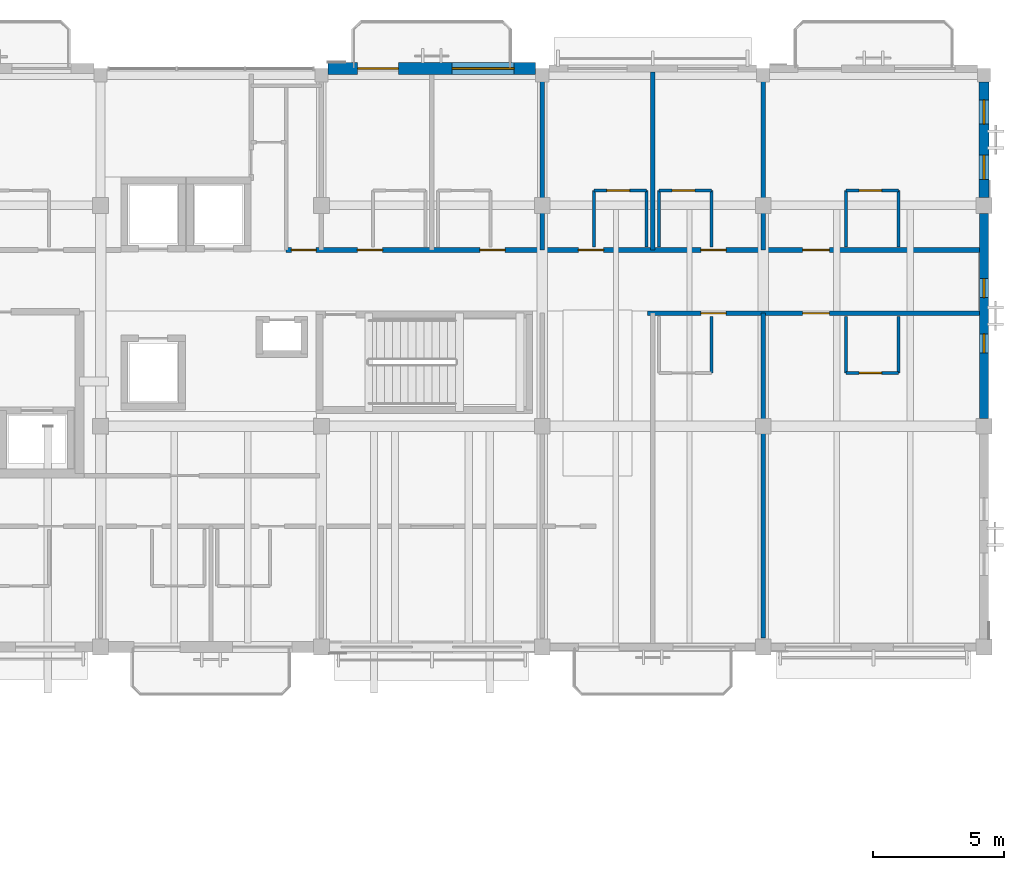
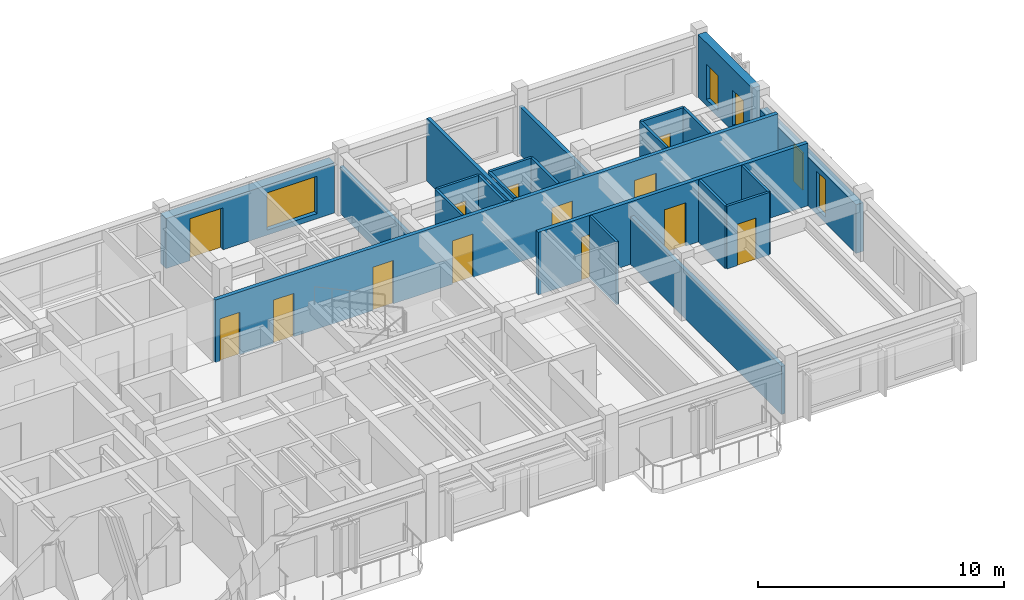
# One storey, part 17 of 31: 22 walls, 13 doors, 5 windows, 18 openings.
"""IFC4 building model written with IfcOpenShell, lengths in metres."""

from ifc_helpers import new_model, si_unit, direction, frame, frame_2d, origin, place, context, subcontext, project, spatial, rectangle, extrude, material, layer, layer_set, type_object, element, fill, save


model = new_model("IFC4")

# Units and contexts
model_context = context("Model", 3, precision=1e-05, world=origin(), true_north=direction((0.0, 1.0)))
body_context = subcontext(model_context, "Body", "Model", "MODEL_VIEW")
ifc_project = project(units=[si_unit("LENGTHUNIT", "METRE"), si_unit("AREAUNIT", "SQUARE_METRE"), si_unit("VOLUMEUNIT", "CUBIC_METRE"), si_unit("PLANEANGLEUNIT", "RADIAN"), si_unit("MASSUNIT", "GRAM", prefix="KILO")], contexts=[model_context])

# Site, building, storey
site_placement = place(None, origin())
site = spatial("IfcSite", under=ifc_project, at=site_placement, CompositionType="ELEMENT")
building_placement = place(site_placement, origin())
building = spatial("IfcBuilding", under=site, at=building_placement, Name="Cumbredor Promenade Congress Hotel", CompositionType="ELEMENT")
storey_placement = place(building_placement, frame((0.0, 0.0, 31.919921875)))
storey = spatial("IfcBuildingStorey", under=building, at=storey_placement, Name="L09", CompositionType="ELEMENT", Elevation=31.919921875)

# Wall, opening, door
ifc_material_1 = material(Name="Moisture-resistant gypsum board on steel studs", Category="steel")
ifc_layer_1 = layer(ifc_material_1, 0.114990234375, Name="Moisture-resistant gypsum board on steel studs", Category="steel")
ifc_layer_set_1 = layer_set([ifc_layer_1], Name="Moisture-resistant gypsum board on steel studs")
wall_type_1 = type_object("IfcWallType", Name="WL-BATH-115", PredefinedType="PARTITIONING", material=ifc_layer_set_1)
wall_1_placement = place(storey_placement, frame((52.360107421875, 109.77001953125, 0.0), z_axis=(0.0, 0.0, 1.0), x_axis=(1.0, 0.0, 0.0)))
wall_1 = element("IfcWall", 1, at=wall_1_placement, inside=storey, type_object=wall_type_1, Name="L09 Interior Partition W-L09-BH-0909", PredefinedType="PARTITIONING", context=body_context, shape_type="SweptSolid", body=[
    extrude(rectangle(XDim=2.0, YDim=0.114990234375, at=frame_2d((1.0, 0.0))), origin(), (0.0, 0.0, 1.0), 3.10009765625),
])
opening_1_placement = place(wall_1_placement, frame((0.5, 0.0, 0.0)))
opening_1 = element("IfcOpeningElement", 2, at=opening_1_placement, cuts=wall_1, Name="Opening ID-01", PredefinedType="OPENING", context=body_context, shape_type="SweptSolid", body=[
    extrude(rectangle(XDim=0.860107421875, YDim=2.050048828125, at=frame_2d((0.43017578125, 1.02490234375))), frame((0.0, 0.0673828125, 0.0), z_axis=(0.0, -1.0, 0.0), x_axis=(1.0, 0.0, 0.0)), (0.0, 0.0, 1.0), 0.135009765625),
])
ifc_material_2 = material(Name="Kiln-dried tropical hardwood", Category="wood")
door_type_1 = type_object("IfcDoorType", Name="DR-BATH-860", OperationType="NOTDEFINED", PredefinedType="DOOR", material=ifc_material_2)
door_1_placement = place(opening_1_placement, origin())
door_1 = element("IfcDoor", 3, at=door_1_placement, inside=storey, type_object=door_type_1, Name="L09 Interior Door W-L09-BH-0909-01", OperationType="SINGLE_SWING_LEFT", OverallHeight=2.050048828125, OverallWidth=0.860107421875, PredefinedType="DOOR", context=body_context, shape_type="SweptSolid", body=[
    extrude(rectangle(XDim=0.860107421875, YDim=2.050048828125, at=frame_2d((0.43017578125, 1.02490234375))), frame((0.0, 0.02490234375, 0.0), z_axis=(0.0, -1.0, 0.0), x_axis=(1.0, 0.0, 0.0)), (0.0, 0.0, 1.0), 0.050048828125),
])
fill(opening_1, door_1)

# Walls
for number, where, z_axis, x_axis, name in (
    (4, (52.360107421875, 107.6201171875, 0.0), (0.0, 0.0, 1.0), (0.0, 1.0, 0.0), "L09 Interior Partition W-L09-BV1-0909"),
    (5, (54.360107421875, 107.6201171875, 0.0), (0.0, 0.0, 1.0), (0.0, 1.0, 0.0), "L09 Interior Partition W-L09-BV2-0909"),
):
    element("IfcWall", number, at=place(storey_placement, frame(where, z_axis=z_axis, x_axis=x_axis)), inside=storey, type_object=wall_type_1, Name=name, PredefinedType="PARTITIONING", context=body_context, shape_type="SweptSolid", body=[
        extrude(rectangle(XDim=2.14990234375, YDim=0.114990234375, at=frame_2d((1.074951171875, 0.0))), origin(), (0.0, 0.0, 1.0), 3.10009765625),
    ])

# Wall, opening, door
wall_2_placement = place(storey_placement, frame((54.840087890625, 109.77001953125, 0.0), z_axis=(0.0, 0.0, 1.0), x_axis=(1.0, 0.0, 0.0)))
wall_2 = element("IfcWall", 6, at=wall_2_placement, inside=storey, type_object=wall_type_1, Name="L09 Interior Partition W-L09-BH-0910", PredefinedType="PARTITIONING", context=body_context, shape_type="SweptSolid", body=[
    extrude(rectangle(XDim=2.0, YDim=0.114990234375, at=frame_2d((1.0, 0.0))), origin(), (0.0, 0.0, 1.0), 3.10009765625),
])
opening_2_placement = place(wall_2_placement, frame((0.5, 0.0, 0.0)))
opening_2 = element("IfcOpeningElement", 7, at=opening_2_placement, cuts=wall_2, Name="Opening ID-01", PredefinedType="OPENING", context=body_context, shape_type="SweptSolid", body=[
    extrude(rectangle(XDim=0.860107421875, YDim=2.050048828125, at=frame_2d((0.43017578125, 1.02490234375))), frame((0.0, 0.0673828125, 0.0), z_axis=(0.0, -1.0, 0.0), x_axis=(1.0, 0.0, 0.0)), (0.0, 0.0, 1.0), 0.135009765625),
])
door_2_placement = place(opening_2_placement, origin())
door_2 = element("IfcDoor", 8, at=door_2_placement, inside=storey, type_object=door_type_1, Name="L09 Interior Door W-L09-BH-0910-01", OperationType="SINGLE_SWING_RIGHT", OverallHeight=2.050048828125, OverallWidth=0.860107421875, PredefinedType="DOOR", context=body_context, shape_type="SweptSolid", body=[
    extrude(rectangle(XDim=0.860107421875, YDim=2.050048828125, at=frame_2d((0.43017578125, 1.02490234375))), frame((0.0, 0.02490234375, 0.0), z_axis=(0.0, -1.0, 0.0), x_axis=(1.0, 0.0, 0.0)), (0.0, 0.0, 1.0), 0.050048828125),
])
fill(opening_2, door_2)

# Walls
for number, where, z_axis, x_axis, name in (
    (9, (54.840087890625, 107.6201171875, 0.0), (0.0, 0.0, 1.0), (0.0, 1.0, 0.0), "L09 Interior Partition W-L09-BV1-0910"),
    (10, (56.840087890625, 107.6201171875, 0.0), (0.0, 0.0, 1.0), (0.0, 1.0, 0.0), "L09 Interior Partition W-L09-BV2-0910"),
):
    element("IfcWall", number, at=place(storey_placement, frame(where, z_axis=z_axis, x_axis=x_axis)), inside=storey, type_object=wall_type_1, Name=name, PredefinedType="PARTITIONING", context=body_context, shape_type="SweptSolid", body=[
        extrude(rectangle(XDim=2.14990234375, YDim=0.114990234375, at=frame_2d((1.074951171875, 0.0))), origin(), (0.0, 0.0, 1.0), 3.10009765625),
    ])

# Wall, opening, door
wall_3_placement = place(storey_placement, frame((61.949951171875, 109.77001953125, 0.0), z_axis=(0.0, 0.0, 1.0), x_axis=(1.0, 0.0, 0.0)))
wall_3 = element("IfcWall", 11, at=wall_3_placement, inside=storey, type_object=wall_type_1, Name="L09 Interior Partition W-L09-BH-0911", PredefinedType="PARTITIONING", context=body_context, shape_type="SweptSolid", body=[
    extrude(rectangle(XDim=2.0, YDim=0.114990234375, at=frame_2d((1.0, 0.0))), origin(), (0.0, 0.0, 1.0), 3.10009765625),
])
opening_3_placement = place(wall_3_placement, frame((0.5, 0.0, 0.0)))
opening_3 = element("IfcOpeningElement", 12, at=opening_3_placement, cuts=wall_3, Name="Opening ID-01", PredefinedType="OPENING", context=body_context, shape_type="SweptSolid", body=[
    extrude(rectangle(XDim=0.860107421875, YDim=2.050048828125, at=frame_2d((0.43017578125, 1.02490234375))), frame((0.0, 0.0673828125, 0.0), z_axis=(0.0, -1.0, 0.0), x_axis=(1.0, 0.0, 0.0)), (0.0, 0.0, 1.0), 0.135009765625),
])
door_3_placement = place(opening_3_placement, origin())
door_3 = element("IfcDoor", 13, at=door_3_placement, inside=storey, type_object=door_type_1, Name="L09 Interior Door W-L09-BH-0911-01", OperationType="SINGLE_SWING_LEFT", OverallHeight=2.050048828125, OverallWidth=0.860107421875, PredefinedType="DOOR", context=body_context, shape_type="SweptSolid", body=[
    extrude(rectangle(XDim=0.860107421875, YDim=2.050048828125, at=frame_2d((0.43017578125, 1.02490234375))), frame((0.0, 0.02490234375, 0.0), z_axis=(0.0, -1.0, 0.0), x_axis=(1.0, 0.0, 0.0)), (0.0, 0.0, 1.0), 0.050048828125),
])
fill(opening_3, door_3)

# Walls
for number, where, z_axis, x_axis, name in (
    (14, (61.949951171875, 107.6201171875, 0.0), (0.0, 0.0, 1.0), (0.0, 1.0, 0.0), "L09 Interior Partition W-L09-BV1-0911"),
    (15, (63.949951171875, 107.6201171875, 0.0), (0.0, 0.0, 1.0), (0.0, 1.0, 0.0), "L09 Interior Partition W-L09-BV2-0911"),
    (16, (56.840087890625, 102.830078125, 0.0), (0.0, 0.0, 1.0), (0.0, 1.0, 0.0), "L09 Interior Partition W-L09-BV2-0912"),
):
    element("IfcWall", number, at=place(storey_placement, frame(where, z_axis=z_axis, x_axis=x_axis)), inside=storey, type_object=wall_type_1, Name=name, PredefinedType="PARTITIONING", context=body_context, shape_type="SweptSolid", body=[
        extrude(rectangle(XDim=2.14990234375, YDim=0.114990234375, at=frame_2d((1.074951171875, 0.0))), origin(), (0.0, 0.0, 1.0), 3.10009765625),
    ])

# Wall, opening, door
wall_4_placement = place(storey_placement, frame((61.949951171875, 102.830078125, 0.0), z_axis=(0.0, 0.0, 1.0), x_axis=(1.0, 0.0, 0.0)))
wall_4 = element("IfcWall", 17, at=wall_4_placement, inside=storey, type_object=wall_type_1, Name="L09 Interior Partition W-L09-BH-0913", PredefinedType="PARTITIONING", context=body_context, shape_type="SweptSolid", body=[
    extrude(rectangle(XDim=2.0, YDim=0.114990234375, at=frame_2d((1.0, 0.0))), origin(), (0.0, 0.0, 1.0), 3.10009765625),
])
opening_4_placement = place(wall_4_placement, frame((0.5, 0.0, 0.0)))
opening_4 = element("IfcOpeningElement", 18, at=opening_4_placement, cuts=wall_4, Name="Opening ID-01", PredefinedType="OPENING", context=body_context, shape_type="SweptSolid", body=[
    extrude(rectangle(XDim=0.860107421875, YDim=2.050048828125, at=frame_2d((0.43017578125, 1.02490234375))), frame((0.0, 0.0673828125, 0.0), z_axis=(0.0, -1.0, 0.0), x_axis=(1.0, 0.0, 0.0)), (0.0, 0.0, 1.0), 0.135009765625),
])
door_4_placement = place(opening_4_placement, origin())
door_4 = element("IfcDoor", 19, at=door_4_placement, inside=storey, type_object=door_type_1, Name="L09 Interior Door W-L09-BH-0913-01", OperationType="SINGLE_SWING_LEFT", OverallHeight=2.050048828125, OverallWidth=0.860107421875, PredefinedType="DOOR", context=body_context, shape_type="SweptSolid", body=[
    extrude(rectangle(XDim=0.860107421875, YDim=2.050048828125, at=frame_2d((0.43017578125, 1.02490234375))), frame((0.0, 0.02490234375, 0.0), z_axis=(0.0, -1.0, 0.0), x_axis=(1.0, 0.0, 0.0)), (0.0, 0.0, 1.0), 0.050048828125),
])
fill(opening_4, door_4)

# Walls
for number, where, z_axis, x_axis, name in (
    (20, (61.949951171875, 102.830078125, 0.0), (0.0, 0.0, 1.0), (0.0, 1.0, 0.0), "L09 Interior Partition W-L09-BV1-0913"),
    (21, (63.949951171875, 102.830078125, 0.0), (0.0, 0.0, 1.0), (0.0, 1.0, 0.0), "L09 Interior Partition W-L09-BV2-0913"),
):
    element("IfcWall", number, at=place(storey_placement, frame(where, z_axis=z_axis, x_axis=x_axis)), inside=storey, type_object=wall_type_1, Name=name, PredefinedType="PARTITIONING", context=body_context, shape_type="SweptSolid", body=[
        extrude(rectangle(XDim=2.14990234375, YDim=0.114990234375, at=frame_2d((1.074951171875, 0.0))), origin(), (0.0, 0.0, 1.0), 3.10009765625),
    ])

# Wall, openings, doors
ifc_material_3 = material(Name="Fire-rated hotel corridor wall")
ifc_layer_2 = layer(ifc_material_3, 0.179931640625, Name="Fire-rated hotel corridor wall")
ifc_layer_set_2 = layer_set([ifc_layer_2], Name="Fire-rated hotel corridor wall")
wall_type_2 = type_object("IfcWallType", Name="WL-CORR-180", PredefinedType="PARTITIONING", material=ifc_layer_set_2)
wall_5_placement = place(storey_placement, frame((40.659912109375, 107.5, 0.0), z_axis=(0.0, 0.0, 1.0), x_axis=(1.0, 0.0, 0.0)))
wall_5 = element("IfcWall", 22, at=wall_5_placement, inside=storey, type_object=wall_type_2, Name="L09 Interior Partition W-L09-CORR-NE", PredefinedType="PARTITIONING", context=body_context, shape_type="SweptSolid", body=[
    extrude(rectangle(XDim=26.364990234375, YDim=0.179931640625, at=frame_2d((13.1826171875, 0.0))), origin(), (0.0, 0.0, 1.0), 3.10009765625),
])
opening_5_placement = place(wall_5_placement, frame((0.199951171875, 0.0, 0.0)))
opening_5 = element("IfcOpeningElement", 23, at=opening_5_placement, cuts=wall_5, Name="Opening FD-03", PredefinedType="OPENING", context=body_context, shape_type="SweptSolid", body=[
    extrude(rectangle(XDim=0.93994140625, YDim=2.10009765625, at=frame_2d((0.469970703125, 1.050048828125))), frame((0.0, 0.10009765625, 0.0), z_axis=(0.0, -1.0, 0.0), x_axis=(1.0, 0.0, 0.0)), (0.0, 0.0, 1.0), 0.199951171875),
])
opening_6_placement = place(wall_5_placement, frame((2.7099609375, 0.0, 0.0)))
opening_6 = element("IfcOpeningElement", 24, at=opening_6_placement, cuts=wall_5, Name="Opening FD-01", PredefinedType="OPENING", context=body_context, shape_type="SweptSolid", body=[
    extrude(rectangle(XDim=0.9599609375, YDim=2.14990234375, at=frame_2d((0.47998046875, 1.074951171875))), frame((0.0, 0.10009765625, 0.0), z_axis=(0.0, -1.0, 0.0), x_axis=(1.0, 0.0, 0.0)), (0.0, 0.0, 1.0), 0.199951171875),
])
opening_7_placement = place(wall_5_placement, frame((7.3701171875, 0.0, 0.0)))
opening_7 = element("IfcOpeningElement", 25, at=opening_7_placement, cuts=wall_5, Name="Opening FD-01", PredefinedType="OPENING", context=body_context, shape_type="SweptSolid", body=[
    extrude(rectangle(XDim=0.9599609375, YDim=2.14990234375, at=frame_2d((0.47998046875, 1.074951171875))), frame((0.0, 0.10009765625, 0.0), z_axis=(0.0, -1.0, 0.0), x_axis=(1.0, 0.0, 0.0)), (0.0, 0.0, 1.0), 0.199951171875),
])
opening_8_placement = place(wall_5_placement, frame((11.110107421875, 0.0, 0.0)))
opening_8 = element("IfcOpeningElement", 26, at=opening_8_placement, cuts=wall_5, Name="Opening FD-01", PredefinedType="OPENING", context=body_context, shape_type="SweptSolid", body=[
    extrude(rectangle(XDim=0.9599609375, YDim=2.14990234375, at=frame_2d((0.47998046875, 1.074951171875))), frame((0.0, 0.10009765625, 0.0), z_axis=(0.0, -1.0, 0.0), x_axis=(1.0, 0.0, 0.0)), (0.0, 0.0, 1.0), 0.199951171875),
])
opening_9_placement = place(wall_5_placement, frame((15.77001953125, 0.0, 0.0)))
opening_9 = element("IfcOpeningElement", 27, at=opening_9_placement, cuts=wall_5, Name="Opening FD-01", PredefinedType="OPENING", context=body_context, shape_type="SweptSolid", body=[
    extrude(rectangle(XDim=0.9599609375, YDim=2.14990234375, at=frame_2d((0.47998046875, 1.074951171875))), frame((0.0, 0.10009765625, 0.0), z_axis=(0.0, -1.0, 0.0), x_axis=(1.0, 0.0, 0.0)), (0.0, 0.0, 1.0), 0.199951171875),
])
opening_10_placement = place(wall_5_placement, frame((19.639892578125, 0.0, 0.0)))
opening_10 = element("IfcOpeningElement", 28, at=opening_10_placement, cuts=wall_5, Name="Opening FD-02", PredefinedType="OPENING", context=body_context, shape_type="SweptSolid", body=[
    extrude(rectangle(XDim=1.02001953125, YDim=2.14990234375, at=frame_2d((0.510009765625, 1.074951171875))), frame((0.0, 0.10009765625, 0.0), z_axis=(0.0, -1.0, 0.0), x_axis=(1.0, 0.0, 0.0)), (0.0, 0.0, 1.0), 0.199951171875),
])
ifc_material_4 = material(Name="Solid-core fire-rated tropical hardwood", Category="wood")
door_type_2 = type_object("IfcDoorType", Name="DR-GUEST-FD30-1000", OperationType="NOTDEFINED", PredefinedType="DOOR", material=ifc_material_4)
door_5_placement = place(opening_10_placement, origin())
door_5 = element("IfcDoor", 29, at=door_5_placement, inside=storey, type_object=door_type_2, Name="L09 Interior Door W-L09-CORR-NE-06", OperationType="SINGLE_SWING_RIGHT", OverallHeight=2.14990234375, OverallWidth=1.02001953125, PredefinedType="DOOR", context=body_context, shape_type="SweptSolid", body=[
    extrude(rectangle(XDim=1.02001953125, YDim=2.14990234375, at=frame_2d((0.510009765625, 1.074951171875))), frame((0.0, 0.02490234375, 0.0), z_axis=(0.0, -1.0, 0.0), x_axis=(1.0, 0.0, 0.0)), (0.0, 0.0, 1.0), 0.050048828125),
])
fill(opening_10, door_5)
door_type_3 = type_object("IfcDoorType", Name="DR-GUEST-FD30-950", OperationType="NOTDEFINED", PredefinedType="DOOR", material=ifc_material_4)
door_6_placement = place(opening_6_placement, origin())
door_6 = element("IfcDoor", 30, at=door_6_placement, inside=storey, type_object=door_type_3, Name="L09 Interior Door W-L09-CORR-NE-02", OperationType="SINGLE_SWING_RIGHT", OverallHeight=2.14990234375, OverallWidth=0.9599609375, PredefinedType="DOOR", context=body_context, shape_type="SweptSolid", body=[
    extrude(rectangle(XDim=0.9599609375, YDim=2.14990234375, at=frame_2d((0.47998046875, 1.074951171875))), frame((0.0, 0.02490234375, 0.0), z_axis=(0.0, -1.0, 0.0), x_axis=(1.0, 0.0, 0.0)), (0.0, 0.0, 1.0), 0.050048828125),
])
fill(opening_6, door_6)
door_7_placement = place(opening_7_placement, origin())
door_7 = element("IfcDoor", 31, at=door_7_placement, inside=storey, type_object=door_type_3, Name="L09 Interior Door W-L09-CORR-NE-03", OperationType="SINGLE_SWING_LEFT", OverallHeight=2.14990234375, OverallWidth=0.9599609375, PredefinedType="DOOR", context=body_context, shape_type="SweptSolid", body=[
    extrude(rectangle(XDim=0.9599609375, YDim=2.14990234375, at=frame_2d((0.47998046875, 1.074951171875))), frame((0.0, 0.02490234375, 0.0), z_axis=(0.0, -1.0, 0.0), x_axis=(1.0, 0.0, 0.0)), (0.0, 0.0, 1.0), 0.050048828125),
])
fill(opening_7, door_7)
door_8_placement = place(opening_8_placement, origin())
door_8 = element("IfcDoor", 32, at=door_8_placement, inside=storey, type_object=door_type_3, Name="L09 Interior Door W-L09-CORR-NE-04", OperationType="SINGLE_SWING_RIGHT", OverallHeight=2.14990234375, OverallWidth=0.9599609375, PredefinedType="DOOR", context=body_context, shape_type="SweptSolid", body=[
    extrude(rectangle(XDim=0.9599609375, YDim=2.14990234375, at=frame_2d((0.47998046875, 1.074951171875))), frame((0.0, 0.02490234375, 0.0), z_axis=(0.0, -1.0, 0.0), x_axis=(1.0, 0.0, 0.0)), (0.0, 0.0, 1.0), 0.050048828125),
])
fill(opening_8, door_8)
door_9_placement = place(opening_9_placement, origin())
door_9 = element("IfcDoor", 33, at=door_9_placement, inside=storey, type_object=door_type_3, Name="L09 Interior Door W-L09-CORR-NE-05", OperationType="SINGLE_SWING_LEFT", OverallHeight=2.14990234375, OverallWidth=0.9599609375, PredefinedType="DOOR", context=body_context, shape_type="SweptSolid", body=[
    extrude(rectangle(XDim=0.9599609375, YDim=2.14990234375, at=frame_2d((0.47998046875, 1.074951171875))), frame((0.0, 0.02490234375, 0.0), z_axis=(0.0, -1.0, 0.0), x_axis=(1.0, 0.0, 0.0)), (0.0, 0.0, 1.0), 0.050048828125),
])
fill(opening_9, door_9)
ifc_material_5 = material(Name="Painted galvanized steel fire door", Category="steel")
door_type_4 = type_object("IfcDoorType", Name="DR-SGL-FD60-950", OperationType="NOTDEFINED", PredefinedType="DOOR", material=ifc_material_5)
door_10_placement = place(opening_5_placement, origin())
door_10 = element("IfcDoor", 34, at=door_10_placement, inside=storey, type_object=door_type_4, Name="L09 Interior Door W-L09-CORR-NE-01", OperationType="SINGLE_SWING_RIGHT", OverallHeight=2.10009765625, OverallWidth=0.93994140625, PredefinedType="DOOR", context=body_context, shape_type="SweptSolid", body=[
    extrude(rectangle(XDim=0.93994140625, YDim=2.10009765625, at=frame_2d((0.469970703125, 1.050048828125))), frame((0.0, 0.02490234375, 0.0), z_axis=(0.0, -1.0, 0.0), x_axis=(1.0, 0.0, 0.0)), (0.0, 0.0, 1.0), 0.050048828125),
])
fill(opening_5, door_10)

wall_6_placement = place(storey_placement, frame((54.39990234375, 105.10009765625, 0.0), z_axis=(0.0, 0.0, 1.0), x_axis=(1.0, 0.0, 0.0)))
wall_6 = element("IfcWall", 35, at=wall_6_placement, inside=storey, type_object=wall_type_2, Name="L09 Interior Partition W-L09-CORR-SE", PredefinedType="PARTITIONING", context=body_context, shape_type="SweptSolid", body=[
    extrude(rectangle(XDim=12.625, YDim=0.179931640625, at=frame_2d((6.3125, 0.0))), origin(), (0.0, 0.0, 1.0), 3.10009765625),
])
opening_11_placement = place(wall_6_placement, frame((2.030029296875, 0.0, 0.0)))
opening_11 = element("IfcOpeningElement", 36, at=opening_11_placement, cuts=wall_6, Name="Opening FD-01", PredefinedType="OPENING", context=body_context, shape_type="SweptSolid", body=[
    extrude(rectangle(XDim=0.9599609375, YDim=2.14990234375, at=frame_2d((0.47998046875, 1.074951171875))), frame((0.0, 0.10009765625, 0.0), z_axis=(0.0, -1.0, 0.0), x_axis=(1.0, 0.0, 0.0)), (0.0, 0.0, 1.0), 0.199951171875),
])
opening_12_placement = place(wall_6_placement, frame((5.89990234375, 0.0, 0.0)))
opening_12 = element("IfcOpeningElement", 37, at=opening_12_placement, cuts=wall_6, Name="Opening FD-02", PredefinedType="OPENING", context=body_context, shape_type="SweptSolid", body=[
    extrude(rectangle(XDim=1.02001953125, YDim=2.14990234375, at=frame_2d((0.510009765625, 1.074951171875))), frame((0.0, 0.10009765625, 0.0), z_axis=(0.0, -1.0, 0.0), x_axis=(1.0, 0.0, 0.0)), (0.0, 0.0, 1.0), 0.199951171875),
])
door_11_placement = place(opening_12_placement, origin())
door_11 = element("IfcDoor", 38, at=door_11_placement, inside=storey, type_object=door_type_2, Name="L09 Interior Door W-L09-CORR-SE-02", OperationType="SINGLE_SWING_RIGHT", OverallHeight=2.14990234375, OverallWidth=1.02001953125, PredefinedType="DOOR", context=body_context, shape_type="SweptSolid", body=[
    extrude(rectangle(XDim=1.02001953125, YDim=2.14990234375, at=frame_2d((0.510009765625, 1.074951171875))), frame((0.0, 0.02490234375, 0.0), z_axis=(0.0, -1.0, 0.0), x_axis=(1.0, 0.0, 0.0)), (0.0, 0.0, 1.0), 0.050048828125),
])
fill(opening_12, door_11)
door_12_placement = place(opening_11_placement, origin())
door_12 = element("IfcDoor", 39, at=door_12_placement, inside=storey, type_object=door_type_3, Name="L09 Interior Door W-L09-CORR-SE-01", OperationType="SINGLE_SWING_LEFT", OverallHeight=2.14990234375, OverallWidth=0.9599609375, PredefinedType="DOOR", context=body_context, shape_type="SweptSolid", body=[
    extrude(rectangle(XDim=0.9599609375, YDim=2.14990234375, at=frame_2d((0.47998046875, 1.074951171875))), frame((0.0, 0.02490234375, 0.0), z_axis=(0.0, -1.0, 0.0), x_axis=(1.0, 0.0, 0.0)), (0.0, 0.0, 1.0), 0.050048828125),
])
fill(opening_11, door_12)

# Wall, openings, windows
ifc_material_6 = material(Name="Concrete C40/50", Category="concrete")
ifc_layer_3 = layer(ifc_material_6, 0.35009765625, Name="Concrete C40/50", Category="concrete")
ifc_layer_set_3 = layer_set([ifc_layer_3], Name="Concrete C40/50")
wall_type_3 = type_object("IfcWallType", Name="WL-EXT-350", PredefinedType="SOLIDWALL", material=ifc_layer_set_3)
wall_7_placement = place(storey_placement, frame((67.199951171875, 101.10107421875, 0.0), z_axis=(0.0, 0.0, 1.0), x_axis=(0.0, 1.0, 0.0)))
wall_7 = element("IfcWall", 40, at=wall_7_placement, inside=storey, type_object=wall_type_3, Name="L09 Stepped Congress Hotel Wing East Envelope Wall 2", PredefinedType="SOLIDWALL", context=body_context, shape_type="SweptSolid", body=[
    extrude(rectangle(XDim=7.7978515625, YDim=0.35009765625, at=frame_2d((3.89892578125, 0.0))), origin(), (0.0, 0.0, 1.0), 2.4140625),
])
opening_13_placement = place(wall_7_placement, frame((2.489013671875, 0.0, 0.300048828125)))
opening_13 = element("IfcOpeningElement", 41, at=opening_13_placement, cuts=wall_7, Name="Opening WN-45", PredefinedType="OPENING", context=body_context, shape_type="SweptSolid", body=[
    extrude(rectangle(XDim=0.719970703125, YDim=1.85009765625, at=frame_2d((0.35986328125, 0.925048828125))), frame((0.0, 0.18505859375, 0.0), z_axis=(0.0, -1.0, 0.0), x_axis=(1.0, 0.0, 0.0)), (0.0, 0.0, 1.0), 0.3701171875),
])
opening_14_placement = place(wall_7_placement, frame((4.589111328125, 0.0, 0.300048828125)))
opening_14 = element("IfcOpeningElement", 42, at=opening_14_placement, cuts=wall_7, Name="Opening WN-45", PredefinedType="OPENING", context=body_context, shape_type="SweptSolid", body=[
    extrude(rectangle(XDim=0.719970703125, YDim=1.85009765625, at=frame_2d((0.35986328125, 0.925048828125))), frame((0.0, 0.18505859375, 0.0), z_axis=(0.0, -1.0, 0.0), x_axis=(1.0, 0.0, 0.0)), (0.0, 0.0, 1.0), 0.3701171875),
])
ifc_material_7 = material(Name="Thermally broken anodized aluminium and low-E glass", Category="aluminium")
window_type_1 = type_object("IfcWindowType", Name="Vertical Slot Window WN-45 720x1850", PartitioningType="SINGLE_PANEL", PredefinedType="WINDOW", material=ifc_material_7)
window_1_placement = place(opening_13_placement, origin())
window_1 = element("IfcWindow", 43, at=window_1_placement, inside=storey, type_object=window_type_1, Name="L09 Vertical Slot Window 0706", OverallHeight=1.85009765625, OverallWidth=0.719970703125, PartitioningType="SINGLE_PANEL", PredefinedType="WINDOW", context=body_context, shape_type="SweptSolid", body=[
    extrude(rectangle(XDim=0.719970703125, YDim=1.85009765625, at=frame_2d((0.35986328125, 0.925048828125))), frame((0.0, 0.030029296875, 0.0), z_axis=(0.0, -1.0, 0.0), x_axis=(1.0, 0.0, 0.0)), (0.0, 0.0, 1.0), 0.06005859375),
])
fill(opening_13, window_1)
window_2_placement = place(opening_14_placement, origin())
window_2 = element("IfcWindow", 44, at=window_2_placement, inside=storey, type_object=window_type_1, Name="L09 Vertical Slot Window 0707", OverallHeight=1.85009765625, OverallWidth=0.719970703125, PartitioningType="SINGLE_PANEL", PredefinedType="WINDOW", context=body_context, shape_type="SweptSolid", body=[
    extrude(rectangle(XDim=0.719970703125, YDim=1.85009765625, at=frame_2d((0.35986328125, 0.925048828125))), frame((0.0, 0.030029296875, 0.0), z_axis=(0.0, -1.0, 0.0), x_axis=(1.0, 0.0, 0.0)), (0.0, 0.0, 1.0), 0.06005859375),
])
fill(opening_14, window_2)

ifc_layer_4 = layer(ifc_material_6, 0.3798828125, Name="Concrete C40/50", Category="concrete")
ifc_layer_set_4 = layer_set([ifc_layer_4], Name="Concrete C40/50")
wall_type_4 = type_object("IfcWallType", Name="WL-EXT-380", PredefinedType="SOLIDWALL", material=ifc_layer_set_4)
wall_8_placement = place(storey_placement, frame((67.199951171875, 109.5009765625, 0.0), z_axis=(0.0, 0.0, 1.0), x_axis=(0.0, 1.0, 0.0)))
wall_8 = element("IfcWall", 45, at=wall_8_placement, inside=storey, type_object=wall_type_4, Name="L09 Stepped Congress Hotel Wing East Envelope Wall 3", PredefinedType="SOLIDWALL", context=body_context, shape_type="SweptSolid", body=[
    extrude(rectangle(XDim=4.39794921875, YDim=0.3798828125, at=frame_2d((2.198974609375, 0.0))), origin(), (0.0, 0.0, 1.0), 3.10009765625),
])
opening_15_placement = place(wall_8_placement, frame((0.68896484375, 0.0, 0.300048828125)))
opening_15 = element("IfcOpeningElement", 46, at=opening_15_placement, cuts=wall_8, Name="Opening WN-63", PredefinedType="OPENING", context=body_context, shape_type="SweptSolid", body=[
    extrude(rectangle(XDim=0.919921875, YDim=1.75, at=frame_2d((0.4599609375, 0.875))), frame((0.0, 0.199951171875, 0.0), z_axis=(0.0, -1.0, 0.0), x_axis=(1.0, 0.0, 0.0)), (0.0, 0.0, 1.0), 0.39990234375),
])
opening_16_placement = place(wall_8_placement, frame((2.7890625, 0.0, 0.300048828125)))
opening_16 = element("IfcOpeningElement", 47, at=opening_16_placement, cuts=wall_8, Name="Opening WN-63", PredefinedType="OPENING", context=body_context, shape_type="SweptSolid", body=[
    extrude(rectangle(XDim=0.919921875, YDim=1.75, at=frame_2d((0.4599609375, 0.875))), frame((0.0, 0.199951171875, 0.0), z_axis=(0.0, -1.0, 0.0), x_axis=(1.0, 0.0, 0.0)), (0.0, 0.0, 1.0), 0.39990234375),
])
window_type_2 = type_object("IfcWindowType", Name="Vertical Slot Window WN-63 920x1750", PartitioningType="SINGLE_PANEL", PredefinedType="WINDOW", material=ifc_material_7)
window_3_placement = place(opening_15_placement, origin())
window_3 = element("IfcWindow", 48, at=window_3_placement, inside=storey, type_object=window_type_2, Name="L09 Vertical Slot Window 0708", OverallHeight=1.75, OverallWidth=0.919921875, PartitioningType="SINGLE_PANEL", PredefinedType="WINDOW", context=body_context, shape_type="SweptSolid", body=[
    extrude(rectangle(XDim=0.919921875, YDim=1.75, at=frame_2d((0.4599609375, 0.875))), frame((0.0, 0.030029296875, 0.0), z_axis=(0.0, -1.0, 0.0), x_axis=(1.0, 0.0, 0.0)), (0.0, 0.0, 1.0), 0.06005859375),
])
fill(opening_15, window_3)
window_4_placement = place(opening_16_placement, origin())
window_4 = element("IfcWindow", 49, at=window_4_placement, inside=storey, type_object=window_type_2, Name="L09 Vertical Slot Window 0709", OverallHeight=1.75, OverallWidth=0.919921875, PartitioningType="SINGLE_PANEL", PredefinedType="WINDOW", context=body_context, shape_type="SweptSolid", body=[
    extrude(rectangle(XDim=0.919921875, YDim=1.75, at=frame_2d((0.4599609375, 0.875))), frame((0.0, 0.030029296875, 0.0), z_axis=(0.0, -1.0, 0.0), x_axis=(1.0, 0.0, 0.0)), (0.0, 0.0, 1.0), 0.06005859375),
])
fill(opening_16, window_4)

# Wall, openings, door, window
ifc_layer_5 = layer(ifc_material_6, 0.449951171875, Name="Concrete C40/50", Category="concrete")
ifc_layer_set_5 = layer_set([ifc_layer_5], Name="Concrete C40/50")
wall_type_5 = type_object("IfcWallType", Name="WL-EXT-450", PredefinedType="SOLIDWALL", material=ifc_layer_set_5)
wall_9_placement = place(storey_placement, frame((42.2509765625, 114.39990234375, 0.0), z_axis=(0.0, 0.0, 1.0), x_axis=(1.0, 0.0, 0.0)))
wall_9 = element("IfcWall", 50, at=wall_9_placement, inside=storey, type_object=wall_type_5, Name="L09 Stepped Congress Hotel Wing North Envelope Wall 5", PredefinedType="SOLIDWALL", context=body_context, shape_type="SweptSolid", body=[
    extrude(rectangle(XDim=7.89794921875, YDim=0.449951171875, at=frame_2d((3.948974609375, 0.0))), origin(), (0.0, 0.0, 1.0), 2.47412109375),
])
opening_17_placement = place(wall_9_placement, frame((1.1240234375, 0.0, 0.0)))
opening_17 = element("IfcOpeningElement", 51, at=opening_17_placement, cuts=wall_9, Name="Opening TD-01", PredefinedType="OPENING", context=body_context, shape_type="SweptSolid", body=[
    extrude(rectangle(XDim=1.550048828125, YDim=2.080078125, at=frame_2d((0.77490234375, 1.0400390625))), frame((0.0, 0.23486328125, 0.0), z_axis=(0.0, -1.0, 0.0), x_axis=(1.0, 0.0, 0.0)), (0.0, 0.0, 1.0), 0.469970703125),
])
opening_18_placement = place(wall_9_placement, frame((4.72412109375, 0.0, 0.25)))
opening_18 = element("IfcOpeningElement", 52, at=opening_18_placement, cuts=wall_9, Name="Opening WN-02", PredefinedType="OPENING", context=body_context, shape_type="SweptSolid", body=[
    extrude(rectangle(XDim=2.35009765625, YDim=1.85009765625, at=frame_2d((1.175048828125, 0.925048828125))), frame((0.0, 0.23486328125, 0.0), z_axis=(0.0, -1.0, 0.0), x_axis=(1.0, 0.0, 0.0)), (0.0, 0.0, 1.0), 0.469970703125),
])
ifc_material_8 = material(Name="Thermally broken anodized aluminium and laminated safety glass", Category="aluminium")
door_type_5 = type_object("IfcDoorType", Name="EXT-DR-TER-1550x2080", OperationType="DOUBLE_DOOR_SINGLE_SWING", PredefinedType="DOOR", material=ifc_material_8)
door_13_placement = place(opening_17_placement, origin())
door_13 = element("IfcDoor", 53, at=door_13_placement, inside=storey, type_object=door_type_5, Name="L09 Guestroom Veranda Balcony Door 093", OperationType="DOUBLE_DOOR_SINGLE_SWING", OverallHeight=2.080078125, OverallWidth=1.550048828125, PredefinedType="DOOR", context=body_context, shape_type="SweptSolid", body=[
    extrude(rectangle(XDim=1.550048828125, YDim=2.080078125, at=frame_2d((0.77490234375, 1.0400390625))), frame((0.0, 0.02490234375, 0.0), z_axis=(0.0, -1.0, 0.0), x_axis=(1.0, 0.0, 0.0)), (0.0, 0.0, 1.0), 0.050048828125),
])
fill(opening_17, door_13)
window_type_3 = type_object("IfcWindowType", Name="Hospitality Floor-to-Ceiling Window WN-02 2350x1850", PartitioningType="DOUBLE_PANEL_VERTICAL", PredefinedType="WINDOW", material=ifc_material_7)
window_5_placement = place(opening_18_placement, origin())
window_5 = element("IfcWindow", 54, at=window_5_placement, inside=storey, type_object=window_type_3, Name="L09 Veranda Companion Floor-to-Ceiling Window 0694", OverallHeight=1.85009765625, OverallWidth=2.35009765625, PartitioningType="DOUBLE_PANEL_VERTICAL", PredefinedType="WINDOW", context=body_context, shape_type="SweptSolid", body=[
    extrude(rectangle(XDim=2.35009765625, YDim=1.85009765625, at=frame_2d((1.175048828125, 0.925048828125))), frame((0.0, 0.030029296875, 0.0), z_axis=(0.0, -1.0, 0.0), x_axis=(1.0, 0.0, 0.0)), (0.0, 0.0, 1.0), 0.06005859375),
])
fill(opening_18, window_5)

# Walls
ifc_material_9 = material(Name="Fire-rated acoustic double-stud partition")
ifc_layer_6 = layer(ifc_material_9, 0.1650390625, Name="Fire-rated acoustic double-stud partition")
ifc_layer_set_6 = layer_set([ifc_layer_6], Name="Fire-rated acoustic double-stud partition")
wall_type_6 = type_object("IfcWallType", Name="WL-UNIT-165", PredefinedType="PARTITIONING", material=ifc_layer_set_6)
wall_10_placement = place(storey_placement, frame((54.60009765625, 107.5, 0.0), z_axis=(0.0, 0.0, 1.0), x_axis=(0.0, 1.0, 0.0)))
element("IfcWall", 55, at=wall_10_placement, inside=storey, type_object=wall_type_6, Name="L09 Interior Partition W-L09-N-DIV-5-M", PredefinedType="PARTITIONING", context=body_context, shape_type="SweptSolid", body=[
    extrude(rectangle(XDim=6.77001953125, YDim=0.1650390625, at=frame_2d((3.385009765625, 0.0))), origin(), (0.0, 0.0, 1.0), 3.10009765625),
])
wall_11_placement = place(storey_placement, frame((50.39990234375, 107.5, 0.0), z_axis=(0.0, 0.0, 1.0), x_axis=(0.0, 1.0, 0.0)))
element("IfcWall", 56, at=wall_11_placement, inside=storey, type_object=wall_type_6, Name="L09 Interior Partition W-L09-N-DIV-5-G", PredefinedType="PARTITIONING", context=body_context, shape_type="SweptSolid", body=[
    extrude(rectangle(XDim=6.550048828125, YDim=0.1650390625, at=frame_2d((3.27490234375, 0.0))), origin(), (0.0, 0.0, 1.0), 2.330078125),
])
wall_12_placement = place(storey_placement, frame((58.800048828125, 107.5, 0.0), z_axis=(0.0, 0.0, 1.0), x_axis=(0.0, 1.0, 0.0)))
element("IfcWall", 57, at=wall_12_placement, inside=storey, type_object=wall_type_6, Name="L09 Interior Partition W-L09-N-DIV-6-G", PredefinedType="PARTITIONING", context=body_context, shape_type="SweptSolid", body=[
    extrude(rectangle(XDim=6.550048828125, YDim=0.1650390625, at=frame_2d((3.27490234375, 0.0))), origin(), (0.0, 0.0, 1.0), 2.375),
])
wall_13_placement = place(storey_placement, frame((58.800048828125, 92.75, 0.0), z_axis=(0.0, 0.0, 1.0), x_axis=(0.0, 1.0, 0.0)))
element("IfcWall", 58, at=wall_13_placement, inside=storey, type_object=wall_type_6, Name="L09 Interior Partition W-L09-SE-DIV-1-G", PredefinedType="PARTITIONING", context=body_context, shape_type="SweptSolid", body=[
    extrude(rectangle(XDim=12.35009765625, YDim=0.1650390625, at=frame_2d((6.175048828125, 0.0))), origin(), (0.0, 0.0, 1.0), 2.375),
])

save(model, "model.ifc")
